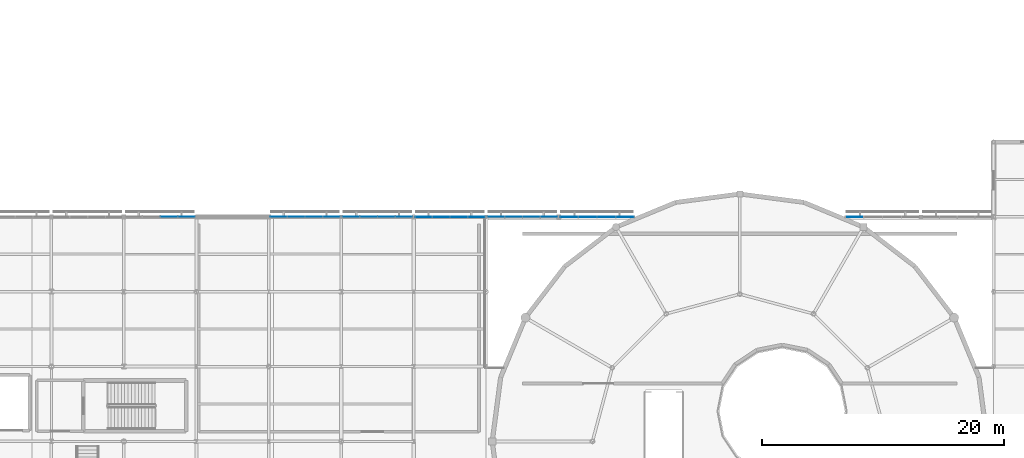
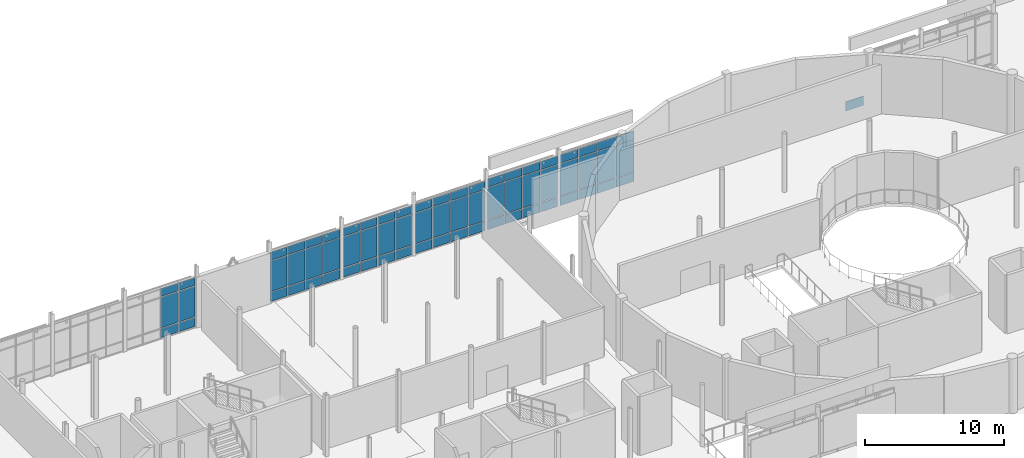
# One storey, part 60 of 105: 67 plates, 7 elements without a shape of their own.
"""IFC4 building model written with IfcOpenShell, lengths in metres."""

import ifcopenshell
import ifcopenshell.guid

model = None  # the IFC model being written
_history = None  # IfcOwnerHistory: only IFC2X3 demands one
_inside = {}  # id of a spatial element -> (the spatial element, [elements in it])
_under = {}  # id of a project, library or spatial element -> (it, [spatial elements below it])
_declared = {}  # id of a project -> (the project, [libraries it declares])
_typed = {}  # id of a type object -> (the type object, [elements of that type])
_made_of = {}  # id of a material, layer set ... -> (it, [elements and type objects made of it])


def new_model(schema):
    """Start an empty IFC model of exactly this schema.

    Asked for "IFC4X3", IfcOpenShell would pick the latest addendum, in which some entities
    have other attributes; the version numbers below select the first issue.
    IFC2X3 requires an IfcOwnerHistory on every rooted entity: one is made here for all.
    """
    global model, _history
    if schema == "IFC4X3":
        model = ifcopenshell.file(schema_version=(4, 3, 0, 0))
    else:
        model = ifcopenshell.file(schema=schema)
    _inside.clear()
    _under.clear()
    _declared.clear()
    _typed.clear()
    _made_of.clear()
    _history = None
    if model.schema == "IFC2X3":
        org = make("IfcOrganization", Name="unknown")
        user = make(
            "IfcPersonAndOrganization",
            ThePerson=make("IfcPerson", FamilyName="unknown"),
            TheOrganization=org,
        )
        app = make(
            "IfcApplication",
            ApplicationDeveloper=org,
            Version="unknown",
            ApplicationFullName="unknown",
            ApplicationIdentifier="unknown",
        )
        _history = make(
            "IfcOwnerHistory",
            OwningUser=user,
            OwningApplication=app,
            ChangeAction="ADDED",
            CreationDate=0,
        )
    return model


def make(cls, **values):
    """One entity of the class cls with the attributes given. An attribute that is None is left unset."""
    return model.create_entity(
        cls, **{name: value for name, value in values.items() if value is not None}
    )


def rooted(cls, **values):
    """An entity with a GlobalId (a new one), such as an element, a storey or a relation."""
    return make(cls, GlobalId=ifcopenshell.guid.new(), OwnerHistory=_history, **values)


def si_unit(unit_type, name, prefix=None):
    """IfcSIUnit, for example si_unit("LENGTHUNIT", "METRE", prefix="MILLI")."""
    return make("IfcSIUnit", UnitType=unit_type, Prefix=prefix, Name=name)


def assignment(units):
    """IfcUnitAssignment: the units of a project."""
    return None if units is None else make("IfcUnitAssignment", Units=units)


def point(xyz):
    """IfcCartesianPoint."""
    return None if xyz is None else make("IfcCartesianPoint", Coordinates=xyz)


def direction(xyz):
    """IfcDirection."""
    return None if xyz is None else make("IfcDirection", DirectionRatios=xyz)


def frame(location, z_axis=None, x_axis=None):
    """IfcAxis2Placement3D, a coordinate frame: its origin and axes. An axis left out is left unset."""
    return make(
        "IfcAxis2Placement3D",
        Location=point(location),
        Axis=direction(z_axis),
        RefDirection=direction(x_axis),
    )


def frame_2d(location, x_axis=None):
    """IfcAxis2Placement2D, a coordinate frame in the plane: its origin and x axis."""
    return make(
        "IfcAxis2Placement2D", Location=point(location), RefDirection=direction(x_axis)
    )


def origin():
    """The frame at (0, 0, 0) with its axes left unset."""
    return frame((0.0, 0.0, 0.0))


def origin_2d():
    """The frame at (0, 0) in the plane with its x axis left unset."""
    return frame_2d((0.0, 0.0))


def place(relative_to, where):
    """IfcLocalPlacement: puts the frame where relative to a parent placement (None: the world)."""
    return make(
        "IfcLocalPlacement", PlacementRelTo=relative_to, RelativePlacement=where
    )


def context(
    kind, dimensions, precision=None, world=None, true_north=None, identifier=None
):
    """IfcGeometricRepresentationContext, for example the 3D "Model" context."""
    return make(
        "IfcGeometricRepresentationContext",
        ContextIdentifier=identifier,
        ContextType=kind,
        CoordinateSpaceDimension=dimensions,
        Precision=precision,
        WorldCoordinateSystem=world,
        TrueNorth=true_north,
    )


def subcontext(parent, identifier, kind, view, scale=None):
    """IfcGeometricRepresentationSubContext, for example "Body" below "Model"."""
    return make(
        "IfcGeometricRepresentationSubContext",
        ContextIdentifier=identifier,
        ContextType=kind,
        ParentContext=parent,
        TargetScale=scale,
        TargetView=view,
    )


def project(units=None, contexts=None):
    """IfcProject with its units and contexts."""
    return rooted(
        "IfcProject",
        Name="project",
        RepresentationContexts=contexts,
        UnitsInContext=assignment(units),
    )


def spatial(cls, under=None, at=None, **own):
    """A site, building, storey or space (cls), placed at a placement, below another one or the project."""
    s = rooted(cls, ObjectPlacement=at, **own)
    if under is not None:
        _under.setdefault(under.id(), (under, []))[1].append(s)
    return s


def profile(cls, at=None, kind="AREA", **sizes):
    """A parametric profile (cls). Its sizes go by their IFC names, for example OverallWidth=200.0."""
    return make(cls, ProfileType=kind, Position=at, **sizes)


def rectangle(**sizes):
    """IfcRectangleProfileDef."""
    return profile("IfcRectangleProfileDef", **sizes)


def extrude(swept, where, along, depth):
    """IfcExtrudedAreaSolid: the profile swept, set in the frame where, extruded along a direction by depth."""
    return make(
        "IfcExtrudedAreaSolid",
        SweptArea=swept,
        Position=where,
        ExtrudedDirection=direction(along),
        Depth=depth,
    )


def shape(context_of_items, identifier, shape_type, items):
    """IfcShapeRepresentation: the items that make up one representation, for example the "Body"."""
    return make(
        "IfcShapeRepresentation",
        ContextOfItems=context_of_items,
        RepresentationIdentifier=identifier,
        RepresentationType=shape_type,
        Items=items,
    )


def material(Name=None, Category=None):
    """IfcMaterial."""
    return make("IfcMaterial", Name=Name, Category=Category)


def layer(
    of_material, thickness, ventilated=None, Name=None, Category=None, Priority=None
):
    """IfcMaterialLayer: one layer of a wall or slab, of a material (None: an air gap)."""
    return make(
        "IfcMaterialLayer",
        Material=of_material,
        LayerThickness=thickness,
        IsVentilated=ventilated,
        Name=Name,
        Category=Category,
        Priority=Priority,
    )


def layer_set(layers, Name=None):
    """IfcMaterialLayerSet."""
    return make("IfcMaterialLayerSet", MaterialLayers=layers, LayerSetName=Name)


def made_of(thing, what):
    """Note that an element or type object is made of a material, layer set ...; save() writes the relation."""
    if what is not None:
        _made_of.setdefault(what.id(), (what, []))[1].append(thing)
    return thing


def type_object(cls, material=None, **own):
    """A type object (cls), such as IfcWallType, which elements share."""
    return made_of(rooted(cls, **own), material)


def element(
    cls,
    number,
    at=None,
    inside=None,
    cuts=None,
    type_object=None,
    material=None,
    context=None,
    identifier="Body",
    shape_type=None,
    held_by="IfcProductDefinitionShape",
    body=None,
    shapes=None,
    **own,
):
    """One element of the class cls, such as IfcWall. Its Tag is "e" and its number.

    at: its placement. inside: the storey or other place that contains it. cuts: it is an
    opening in that element (IfcRelVoidsElement). A single representation is given by context,
    identifier, shape_type and body (its items); several are given by shapes. held_by: the class
    of the entity that holds the representations. save() writes the other relations.
    """
    e = rooted(cls, Tag="e%d" % number, ObjectPlacement=at, **own)
    if body is not None:
        shapes = [shape(context, identifier, shape_type, body)]
    if shapes is not None:
        e.Representation = make(held_by, Representations=shapes)
    if inside is not None:
        _inside.setdefault(inside.id(), (inside, []))[1].append(e)
    if cuts is not None:
        rooted(
            "IfcRelVoidsElement", RelatingBuildingElement=cuts, RelatedOpeningElement=e
        )
    if type_object is not None:
        _typed.setdefault(type_object.id(), (type_object, []))[1].append(e)
    return made_of(e, material)


def aggregate(whole, parts):
    """IfcRelAggregates: a whole, such as a stair, and the parts it consists of."""
    return rooted("IfcRelAggregates", RelatingObject=whole, RelatedObjects=parts)


def save(model, path):
    """Write the relations noted so far, then the file.

    IfcRelAggregates (storeys below a building ...), IfcRelContainedInSpatialStructure (elements
    in a storey), IfcRelDefinesByType, IfcRelAssociatesMaterial and IfcRelDeclares: one each for
    every whole, place, type object, material and project.
    """
    for whole, parts in _under.values():
        aggregate(whole, parts)
    for where, things in _inside.values():
        rooted(
            "IfcRelContainedInSpatialStructure",
            RelatedElements=things,
            RelatingStructure=where,
        )
    for kind, things in _typed.values():
        rooted("IfcRelDefinesByType", RelatedObjects=things, RelatingType=kind)
    for what, things in _made_of.values():
        rooted("IfcRelAssociatesMaterial", RelatedObjects=things, RelatingMaterial=what)
    for by, libraries in _declared.values():
        rooted("IfcRelDeclares", RelatingContext=by, RelatedDefinitions=libraries)
    model.write(path)


model = new_model("IFC4")

# Units and contexts
model_context = context("Model", 3, precision=1e-05, world=origin(), true_north=direction((0.0, 1.0)))
body_context = subcontext(model_context, "Body", "Model", "MODEL_VIEW")
ifc_project = project(units=[si_unit("LENGTHUNIT", "METRE"), si_unit("AREAUNIT", "SQUARE_METRE"), si_unit("VOLUMEUNIT", "CUBIC_METRE"), si_unit("PLANEANGLEUNIT", "RADIAN"), si_unit("MASSUNIT", "GRAM", prefix="KILO")], contexts=[model_context])

# Site, building, storey
site_placement = place(None, origin())
site = spatial("IfcSite", under=ifc_project, at=site_placement, CompositionType="ELEMENT")
building_placement = place(site_placement, origin())
building = spatial("IfcBuilding", under=site, at=building_placement, Name="Mirzam Square Science Centre", CompositionType="ELEMENT")
storey_placement = place(building_placement, frame((0.0, 0.0, 5.39990234375)))
storey = spatial("IfcBuildingStorey", under=building, at=storey_placement, Name="L01", CompositionType="ELEMENT", Elevation=5.39990234375)

# Curtain wall, plates
ifc_material_1 = material(Name="Anodised Aluminium and Low-E Solar Glass", Category="aluminium")
ifc_layer_1 = layer(ifc_material_1, 0.179931640625)
ifc_layer_set_1 = layer_set([ifc_layer_1], Name="CW-PARK-A")
curtain_wall_type_1 = type_object("IfcCurtainWallType", Name="CW-PARK-A", PredefinedType="USERDEFINED", material=ifc_layer_set_1)
curtain_wall_1_placement = place(storey_placement, origin())
curtain_wall_1 = element("IfcCurtainWall", 1, at=curtain_wall_1_placement, inside=storey, type_object=curtain_wall_type_1, Name="L01 unitised curtain wall 14", ObjectType="UNITISED CURTAIN WALL", PredefinedType="USERDEFINED")
ifc_material_2 = material(Name="Ceramic-Fritted Courtyard Solar Glass", Category="glass")
ifc_layer_2 = layer(ifc_material_2, 0.02392578125)
ifc_layer_set_2 = layer_set([ifc_layer_2], Name="CWP-GLZ-24")
plate_type_1 = type_object("IfcPlateType", Name="CWP-GLZ-24", PredefinedType="CURTAIN_PANEL", material=ifc_layer_set_2)
plate_1_placement = place(storey_placement, frame((35.18994140625, 80.60009765625, 0.074951171875), z_axis=(0.0, 0.0, 1.0), x_axis=(-1.0, 0.0, 0.0)))
plate_1 = element("IfcPlate", 2, at=plate_1_placement, type_object=plate_type_1, Name="CW-01 panel 1.1", PredefinedType="CURTAIN_PANEL", context=body_context, shape_type="SweptSolid", body=[
    extrude(rectangle(XDim=1.360107421875, YDim=0.02392578125, at=origin_2d()), origin(), (0.0, 0.0, 1.0), 0.78759765625),
])
plate_2_placement = place(storey_placement, frame((35.18994140625, 80.60009765625, 0.9375), z_axis=(0.0, 0.0, 1.0), x_axis=(-1.0, 0.0, 0.0)))
plate_2 = element("IfcPlate", 3, at=plate_2_placement, type_object=plate_type_1, Name="CW-01 panel 1.2", PredefinedType="CURTAIN_PANEL", context=body_context, shape_type="SweptSolid", body=[
    extrude(rectangle(XDim=1.360107421875, YDim=0.02392578125, at=origin_2d()), origin(), (0.0, 0.0, 1.0), 2.6650390625),
])
plate_3_placement = place(storey_placement, frame((35.18994140625, 80.60009765625, 3.677490234375), z_axis=(0.0, 0.0, 1.0), x_axis=(-1.0, 0.0, 0.0)))
plate_3 = element("IfcPlate", 4, at=plate_3_placement, type_object=plate_type_1, Name="CW-01 panel 1.3", PredefinedType="CURTAIN_PANEL", context=body_context, shape_type="SweptSolid", body=[
    extrude(rectangle(XDim=1.360107421875, YDim=0.02392578125, at=origin_2d()), origin(), (0.0, 0.0, 1.0), 0.6875),
])
plate_4_placement = place(storey_placement, frame((33.736328125, 80.60009765625, 0.074951171875), z_axis=(0.0, 0.0, 1.0), x_axis=(-1.0, 0.0, 0.0)))
plate_4 = element("IfcPlate", 5, at=plate_4_placement, type_object=plate_type_1, Name="CW-01 panel 2.1", PredefinedType="CURTAIN_PANEL", context=body_context, shape_type="SweptSolid", body=[
    extrude(rectangle(XDim=1.3974609375, YDim=0.02392578125, at=origin_2d()), origin(), (0.0, 0.0, 1.0), 0.78759765625),
])
plate_5_placement = place(storey_placement, frame((33.736328125, 80.60009765625, 0.9375), z_axis=(0.0, 0.0, 1.0), x_axis=(-1.0, 0.0, 0.0)))
plate_5 = element("IfcPlate", 6, at=plate_5_placement, type_object=plate_type_1, Name="CW-01 panel 2.2", PredefinedType="CURTAIN_PANEL", context=body_context, shape_type="SweptSolid", body=[
    extrude(rectangle(XDim=1.3974609375, YDim=0.02392578125, at=origin_2d()), origin(), (0.0, 0.0, 1.0), 2.6650390625),
])
plate_6_placement = place(storey_placement, frame((33.736328125, 80.60009765625, 3.677490234375), z_axis=(0.0, 0.0, 1.0), x_axis=(-1.0, 0.0, 0.0)))
plate_6 = element("IfcPlate", 7, at=plate_6_placement, type_object=plate_type_1, Name="CW-01 panel 2.3", PredefinedType="CURTAIN_PANEL", context=body_context, shape_type="SweptSolid", body=[
    extrude(rectangle(XDim=1.3974609375, YDim=0.02392578125, at=origin_2d()), origin(), (0.0, 0.0, 1.0), 0.6875),
])
aggregate(curtain_wall_1, [plate_1, plate_2, plate_3, plate_4, plate_5, plate_6])

ifc_layer_3 = layer(ifc_material_1, 0.159912109375)
ifc_layer_set_3 = layer_set([ifc_layer_3], Name="CW-COURT-A")
curtain_wall_type_2 = type_object("IfcCurtainWallType", Name="CW-COURT-A", PredefinedType="USERDEFINED", material=ifc_layer_set_3)
curtain_wall_2_placement = place(storey_placement, origin())
curtain_wall_2 = element("IfcCurtainWall", 8, at=curtain_wall_2_placement, inside=storey, type_object=curtain_wall_type_2, Name="L01 unitised curtain wall 15", ObjectType="UNITISED CURTAIN WALL", PredefinedType="USERDEFINED")
ifc_material_3 = material(Name="Double-Silver Low-E Insulated Solar Glass", Category="glass")
ifc_layer_4 = layer(ifc_material_3, 0.028076171875)
ifc_layer_set_4 = layer_set([ifc_layer_4], Name="CWP-GLZ-28")
plate_type_2 = type_object("IfcPlateType", Name="CWP-GLZ-28", PredefinedType="CURTAIN_PANEL", material=ifc_layer_set_4)
plate_7_placement = place(storey_placement, frame((47.1923828125, 80.60009765625, 0.06494140625), z_axis=(0.0, 0.0, 1.0), x_axis=(-1.0, 0.0, 0.0)))
plate_7 = element("IfcPlate", 9, at=plate_7_placement, type_object=plate_type_2, Name="CW-03 panel 1.1", PredefinedType="CURTAIN_PANEL", context=body_context, shape_type="SweptSolid", body=[
    extrude(rectangle(XDim=1.375, YDim=0.028076171875, at=origin_2d()), origin(), (0.0, 0.0, 1.0), 0.802490234375),
])
plate_8_placement = place(storey_placement, frame((47.1923828125, 80.60009765625, 0.9326171875), z_axis=(0.0, 0.0, 1.0), x_axis=(-1.0, 0.0, 0.0)))
plate_8 = element("IfcPlate", 10, at=plate_8_placement, type_object=plate_type_2, Name="CW-03 panel 1.2", PredefinedType="CURTAIN_PANEL", context=body_context, shape_type="SweptSolid", body=[
    extrude(rectangle(XDim=1.375, YDim=0.028076171875, at=origin_2d()), origin(), (0.0, 0.0, 1.0), 2.675048828125),
])
plate_9_placement = place(storey_placement, frame((47.1923828125, 80.60009765625, 3.6728515625), z_axis=(0.0, 0.0, 1.0), x_axis=(-1.0, 0.0, 0.0)))
plate_9 = element("IfcPlate", 11, at=plate_9_placement, type_object=plate_type_2, Name="CW-03 panel 1.3", PredefinedType="CURTAIN_PANEL", context=body_context, shape_type="SweptSolid", body=[
    extrude(rectangle(XDim=1.375, YDim=0.028076171875, at=origin_2d()), origin(), (0.0, 0.0, 1.0), 0.702392578125),
])
plate_10_placement = place(storey_placement, frame((45.736328125, 80.60009765625, 0.06494140625), z_axis=(0.0, 0.0, 1.0), x_axis=(-1.0, 0.0, 0.0)))
plate_10 = element("IfcPlate", 12, at=plate_10_placement, type_object=plate_type_2, Name="CW-03 panel 2.1", PredefinedType="CURTAIN_PANEL", context=body_context, shape_type="SweptSolid", body=[
    extrude(rectangle(XDim=1.407470703125, YDim=0.028076171875, at=origin_2d()), origin(), (0.0, 0.0, 1.0), 0.802490234375),
])
plate_11_placement = place(storey_placement, frame((45.736328125, 80.60009765625, 0.9326171875), z_axis=(0.0, 0.0, 1.0), x_axis=(-1.0, 0.0, 0.0)))
plate_11 = element("IfcPlate", 13, at=plate_11_placement, type_object=plate_type_2, Name="CW-03 panel 2.2", PredefinedType="CURTAIN_PANEL", context=body_context, shape_type="SweptSolid", body=[
    extrude(rectangle(XDim=1.407470703125, YDim=0.028076171875, at=origin_2d()), origin(), (0.0, 0.0, 1.0), 2.675048828125),
])
plate_12_placement = place(storey_placement, frame((45.736328125, 80.60009765625, 3.6728515625), z_axis=(0.0, 0.0, 1.0), x_axis=(-1.0, 0.0, 0.0)))
plate_12 = element("IfcPlate", 14, at=plate_12_placement, type_object=plate_type_2, Name="CW-03 panel 2.3", PredefinedType="CURTAIN_PANEL", context=body_context, shape_type="SweptSolid", body=[
    extrude(rectangle(XDim=1.407470703125, YDim=0.028076171875, at=origin_2d()), origin(), (0.0, 0.0, 1.0), 0.702392578125),
])
plate_13_placement = place(storey_placement, frame((44.263671875, 80.60009765625, 0.06494140625), z_axis=(0.0, 0.0, 1.0), x_axis=(-1.0, 0.0, 0.0)))
plate_13 = element("IfcPlate", 15, at=plate_13_placement, type_object=plate_type_2, Name="CW-03 panel 3.1", PredefinedType="CURTAIN_PANEL", context=body_context, shape_type="SweptSolid", body=[
    extrude(rectangle(XDim=1.407470703125, YDim=0.028076171875, at=origin_2d()), origin(), (0.0, 0.0, 1.0), 0.802490234375),
])
plate_14_placement = place(storey_placement, frame((44.263671875, 80.60009765625, 0.9326171875), z_axis=(0.0, 0.0, 1.0), x_axis=(-1.0, 0.0, 0.0)))
plate_14 = element("IfcPlate", 16, at=plate_14_placement, type_object=plate_type_2, Name="CW-03 panel 3.2", PredefinedType="CURTAIN_PANEL", context=body_context, shape_type="SweptSolid", body=[
    extrude(rectangle(XDim=1.407470703125, YDim=0.028076171875, at=origin_2d()), origin(), (0.0, 0.0, 1.0), 2.675048828125),
])
plate_15_placement = place(storey_placement, frame((44.263671875, 80.60009765625, 3.6728515625), z_axis=(0.0, 0.0, 1.0), x_axis=(-1.0, 0.0, 0.0)))
plate_15 = element("IfcPlate", 17, at=plate_15_placement, type_object=plate_type_2, Name="CW-03 panel 3.3", PredefinedType="CURTAIN_PANEL", context=body_context, shape_type="SweptSolid", body=[
    extrude(rectangle(XDim=1.407470703125, YDim=0.028076171875, at=origin_2d()), origin(), (0.0, 0.0, 1.0), 0.702392578125),
])
plate_16_placement = place(storey_placement, frame((42.8076171875, 80.60009765625, 0.06494140625), z_axis=(0.0, 0.0, 1.0), x_axis=(-1.0, 0.0, 0.0)))
plate_16 = element("IfcPlate", 18, at=plate_16_placement, type_object=plate_type_2, Name="CW-03 panel 4.1", PredefinedType="CURTAIN_PANEL", context=body_context, shape_type="SweptSolid", body=[
    extrude(rectangle(XDim=1.375, YDim=0.028076171875, at=origin_2d()), origin(), (0.0, 0.0, 1.0), 0.802490234375),
])
plate_17_placement = place(storey_placement, frame((42.8076171875, 80.60009765625, 0.9326171875), z_axis=(0.0, 0.0, 1.0), x_axis=(-1.0, 0.0, 0.0)))
plate_17 = element("IfcPlate", 19, at=plate_17_placement, type_object=plate_type_2, Name="CW-03 panel 4.2", PredefinedType="CURTAIN_PANEL", context=body_context, shape_type="SweptSolid", body=[
    extrude(rectangle(XDim=1.375, YDim=0.028076171875, at=origin_2d()), origin(), (0.0, 0.0, 1.0), 2.675048828125),
])
plate_18_placement = place(storey_placement, frame((42.8076171875, 80.60009765625, 3.6728515625), z_axis=(0.0, 0.0, 1.0), x_axis=(-1.0, 0.0, 0.0)))
plate_18 = element("IfcPlate", 20, at=plate_18_placement, type_object=plate_type_2, Name="CW-03 panel 4.3", PredefinedType="CURTAIN_PANEL", context=body_context, shape_type="SweptSolid", body=[
    extrude(rectangle(XDim=1.375, YDim=0.028076171875, at=origin_2d()), origin(), (0.0, 0.0, 1.0), 0.702392578125),
])
aggregate(curtain_wall_2, [plate_7, plate_8, plate_9, plate_10, plate_11, plate_12, plate_13, plate_14, plate_15, plate_16, plate_17, plate_18])

curtain_wall_3_placement = place(storey_placement, origin())
curtain_wall_3 = element("IfcCurtainWall", 21, at=curtain_wall_3_placement, inside=storey, type_object=curtain_wall_type_2, Name="L01 unitised curtain wall 50", ObjectType="UNITISED CURTAIN WALL", PredefinedType="USERDEFINED")
plate_19_placement = place(storey_placement, frame((65.1923828125, 80.60009765625, 0.06494140625), z_axis=(0.0, 0.0, 1.0), x_axis=(-1.0, 0.0, 0.0)))
plate_19 = element("IfcPlate", 22, at=plate_19_placement, type_object=plate_type_2, Name="CW-03 panel 1.1", PredefinedType="CURTAIN_PANEL", context=body_context, shape_type="SweptSolid", body=[
    extrude(rectangle(XDim=1.375, YDim=0.028076171875, at=origin_2d()), origin(), (0.0, 0.0, 1.0), 0.802490234375),
])
plate_20_placement = place(storey_placement, frame((65.1923828125, 80.60009765625, 0.9326171875), z_axis=(0.0, 0.0, 1.0), x_axis=(-1.0, 0.0, 0.0)))
plate_20 = element("IfcPlate", 23, at=plate_20_placement, type_object=plate_type_2, Name="CW-03 panel 1.2", PredefinedType="CURTAIN_PANEL", context=body_context, shape_type="SweptSolid", body=[
    extrude(rectangle(XDim=1.375, YDim=0.028076171875, at=origin_2d()), origin(), (0.0, 0.0, 1.0), 2.784912109375),
])
plate_21_placement = place(storey_placement, frame((65.1923828125, 80.60009765625, 3.78271484375), z_axis=(0.0, 0.0, 1.0), x_axis=(-1.0, 0.0, 0.0)))
plate_21 = element("IfcPlate", 24, at=plate_21_placement, type_object=plate_type_2, Name="CW-03 panel 1.3", PredefinedType="CURTAIN_PANEL", context=body_context, shape_type="SweptSolid", body=[
    extrude(rectangle(XDim=1.375, YDim=0.028076171875, at=origin_2d()), origin(), (0.0, 0.0, 1.0), 0.702392578125),
])
plate_22_placement = place(storey_placement, frame((63.736328125, 80.60009765625, 0.06494140625), z_axis=(0.0, 0.0, 1.0), x_axis=(-1.0, 0.0, 0.0)))
plate_22 = element("IfcPlate", 25, at=plate_22_placement, type_object=plate_type_2, Name="CW-03 panel 2.1", PredefinedType="CURTAIN_PANEL", context=body_context, shape_type="SweptSolid", body=[
    extrude(rectangle(XDim=1.407470703125, YDim=0.028076171875, at=origin_2d()), origin(), (0.0, 0.0, 1.0), 0.802490234375),
])
plate_23_placement = place(storey_placement, frame((63.736328125, 80.60009765625, 0.9326171875), z_axis=(0.0, 0.0, 1.0), x_axis=(-1.0, 0.0, 0.0)))
plate_23 = element("IfcPlate", 26, at=plate_23_placement, type_object=plate_type_2, Name="CW-03 panel 2.2", PredefinedType="CURTAIN_PANEL", context=body_context, shape_type="SweptSolid", body=[
    extrude(rectangle(XDim=1.407470703125, YDim=0.028076171875, at=origin_2d()), origin(), (0.0, 0.0, 1.0), 2.784912109375),
])
plate_24_placement = place(storey_placement, frame((63.736328125, 80.60009765625, 3.78271484375), z_axis=(0.0, 0.0, 1.0), x_axis=(-1.0, 0.0, 0.0)))
plate_24 = element("IfcPlate", 27, at=plate_24_placement, type_object=plate_type_2, Name="CW-03 panel 2.3", PredefinedType="CURTAIN_PANEL", context=body_context, shape_type="SweptSolid", body=[
    extrude(rectangle(XDim=1.407470703125, YDim=0.028076171875, at=origin_2d()), origin(), (0.0, 0.0, 1.0), 0.702392578125),
])
plate_25_placement = place(storey_placement, frame((62.263671875, 80.60009765625, 0.06494140625), z_axis=(0.0, 0.0, 1.0), x_axis=(-1.0, 0.0, 0.0)))
plate_25 = element("IfcPlate", 28, at=plate_25_placement, type_object=plate_type_2, Name="CW-03 panel 3.1", PredefinedType="CURTAIN_PANEL", context=body_context, shape_type="SweptSolid", body=[
    extrude(rectangle(XDim=1.407470703125, YDim=0.028076171875, at=origin_2d()), origin(), (0.0, 0.0, 1.0), 0.802490234375),
])
plate_26_placement = place(storey_placement, frame((62.263671875, 80.60009765625, 0.9326171875), z_axis=(0.0, 0.0, 1.0), x_axis=(-1.0, 0.0, 0.0)))
plate_26 = element("IfcPlate", 29, at=plate_26_placement, type_object=plate_type_2, Name="CW-03 panel 3.2", PredefinedType="CURTAIN_PANEL", context=body_context, shape_type="SweptSolid", body=[
    extrude(rectangle(XDim=1.407470703125, YDim=0.028076171875, at=origin_2d()), origin(), (0.0, 0.0, 1.0), 2.784912109375),
])
plate_27_placement = place(storey_placement, frame((62.263671875, 80.60009765625, 3.78271484375), z_axis=(0.0, 0.0, 1.0), x_axis=(-1.0, 0.0, 0.0)))
plate_27 = element("IfcPlate", 30, at=plate_27_placement, type_object=plate_type_2, Name="CW-03 panel 3.3", PredefinedType="CURTAIN_PANEL", context=body_context, shape_type="SweptSolid", body=[
    extrude(rectangle(XDim=1.407470703125, YDim=0.028076171875, at=origin_2d()), origin(), (0.0, 0.0, 1.0), 0.702392578125),
])
plate_28_placement = place(storey_placement, frame((60.8076171875, 80.60009765625, 0.06494140625), z_axis=(0.0, 0.0, 1.0), x_axis=(-1.0, 0.0, 0.0)))
plate_28 = element("IfcPlate", 31, at=plate_28_placement, type_object=plate_type_2, Name="CW-03 panel 4.1", PredefinedType="CURTAIN_PANEL", context=body_context, shape_type="SweptSolid", body=[
    extrude(rectangle(XDim=1.375, YDim=0.028076171875, at=origin_2d()), origin(), (0.0, 0.0, 1.0), 0.802490234375),
])
plate_29_placement = place(storey_placement, frame((60.8076171875, 80.60009765625, 0.9326171875), z_axis=(0.0, 0.0, 1.0), x_axis=(-1.0, 0.0, 0.0)))
plate_29 = element("IfcPlate", 32, at=plate_29_placement, type_object=plate_type_2, Name="CW-03 panel 4.2", PredefinedType="CURTAIN_PANEL", context=body_context, shape_type="SweptSolid", body=[
    extrude(rectangle(XDim=1.375, YDim=0.028076171875, at=origin_2d()), origin(), (0.0, 0.0, 1.0), 2.784912109375),
])
plate_30_placement = place(storey_placement, frame((60.8076171875, 80.60009765625, 3.78271484375), z_axis=(0.0, 0.0, 1.0), x_axis=(-1.0, 0.0, 0.0)))
plate_30 = element("IfcPlate", 33, at=plate_30_placement, type_object=plate_type_2, Name="CW-03 panel 4.3", PredefinedType="CURTAIN_PANEL", context=body_context, shape_type="SweptSolid", body=[
    extrude(rectangle(XDim=1.375, YDim=0.028076171875, at=origin_2d()), origin(), (0.0, 0.0, 1.0), 0.702392578125),
])
aggregate(curtain_wall_3, [plate_19, plate_20, plate_21, plate_22, plate_23, plate_24, plate_25, plate_26, plate_27, plate_28, plate_29, plate_30])

ifc_layer_5 = layer(ifc_material_1, 0.159912109375)
ifc_layer_set_5 = layer_set([ifc_layer_5], Name="CW-COURT-B")
curtain_wall_type_3 = type_object("IfcCurtainWallType", Name="CW-COURT-B", PredefinedType="USERDEFINED", material=ifc_layer_set_5)
curtain_wall_4_placement = place(storey_placement, origin())
curtain_wall_4 = element("IfcCurtainWall", 34, at=curtain_wall_4_placement, inside=storey, type_object=curtain_wall_type_3, Name="L01 unitised curtain wall 16", ObjectType="UNITISED CURTAIN WALL", PredefinedType="USERDEFINED")
ifc_material_4 = material(Name="Triple-Glazed Acoustic Low-E Solar Glass", Category="glass")
ifc_layer_6 = layer(ifc_material_4, 0.031982421875)
ifc_layer_set_6 = layer_set([ifc_layer_6], Name="CWP-GLZ-32")
plate_type_3 = type_object("IfcPlateType", Name="CWP-GLZ-32", PredefinedType="CURTAIN_PANEL", material=ifc_layer_set_6)
plate_31_placement = place(storey_placement, frame((53.18994140625, 80.60009765625, 0.074951171875), z_axis=(0.0, 0.0, 1.0), x_axis=(-1.0, 0.0, 0.0)))
plate_31 = element("IfcPlate", 35, at=plate_31_placement, type_object=plate_type_3, Name="CW-04 panel 1.1", PredefinedType="CURTAIN_PANEL", context=body_context, shape_type="SweptSolid", body=[
    extrude(rectangle(XDim=1.360107421875, YDim=0.031982421875, at=origin_2d()), origin(), (0.0, 0.0, 1.0), 0.78759765625),
])
plate_32_placement = place(storey_placement, frame((53.18994140625, 80.60009765625, 0.9375), z_axis=(0.0, 0.0, 1.0), x_axis=(-1.0, 0.0, 0.0)))
plate_32 = element("IfcPlate", 36, at=plate_32_placement, type_object=plate_type_3, Name="CW-04 panel 1.2", PredefinedType="CURTAIN_PANEL", context=body_context, shape_type="SweptSolid", body=[
    extrude(rectangle(XDim=1.360107421875, YDim=0.031982421875, at=origin_2d()), origin(), (0.0, 0.0, 1.0), 2.6650390625),
])
plate_33_placement = place(storey_placement, frame((53.18994140625, 80.60009765625, 3.677490234375), z_axis=(0.0, 0.0, 1.0), x_axis=(-1.0, 0.0, 0.0)))
plate_33 = element("IfcPlate", 37, at=plate_33_placement, type_object=plate_type_3, Name="CW-04 panel 1.3", PredefinedType="CURTAIN_PANEL", context=body_context, shape_type="SweptSolid", body=[
    extrude(rectangle(XDim=1.360107421875, YDim=0.031982421875, at=origin_2d()), origin(), (0.0, 0.0, 1.0), 0.6875),
])
plate_34_placement = place(storey_placement, frame((51.736328125, 80.60009765625, 0.074951171875), z_axis=(0.0, 0.0, 1.0), x_axis=(-1.0, 0.0, 0.0)))
plate_34 = element("IfcPlate", 38, at=plate_34_placement, type_object=plate_type_3, Name="CW-04 panel 2.1", PredefinedType="CURTAIN_PANEL", context=body_context, shape_type="SweptSolid", body=[
    extrude(rectangle(XDim=1.3974609375, YDim=0.031982421875, at=origin_2d()), origin(), (0.0, 0.0, 1.0), 0.78759765625),
])
plate_35_placement = place(storey_placement, frame((51.736328125, 80.60009765625, 0.9375), z_axis=(0.0, 0.0, 1.0), x_axis=(-1.0, 0.0, 0.0)))
plate_35 = element("IfcPlate", 39, at=plate_35_placement, type_object=plate_type_3, Name="CW-04 panel 2.2", PredefinedType="CURTAIN_PANEL", context=body_context, shape_type="SweptSolid", body=[
    extrude(rectangle(XDim=1.3974609375, YDim=0.031982421875, at=origin_2d()), origin(), (0.0, 0.0, 1.0), 2.6650390625),
])
plate_36_placement = place(storey_placement, frame((51.736328125, 80.60009765625, 3.677490234375), z_axis=(0.0, 0.0, 1.0), x_axis=(-1.0, 0.0, 0.0)))
plate_36 = element("IfcPlate", 40, at=plate_36_placement, type_object=plate_type_3, Name="CW-04 panel 2.3", PredefinedType="CURTAIN_PANEL", context=body_context, shape_type="SweptSolid", body=[
    extrude(rectangle(XDim=1.3974609375, YDim=0.031982421875, at=origin_2d()), origin(), (0.0, 0.0, 1.0), 0.6875),
])
plate_37_placement = place(storey_placement, frame((50.263671875, 80.60009765625, 0.074951171875), z_axis=(0.0, 0.0, 1.0), x_axis=(-1.0, 0.0, 0.0)))
plate_37 = element("IfcPlate", 41, at=plate_37_placement, type_object=plate_type_3, Name="CW-04 panel 3.1", PredefinedType="CURTAIN_PANEL", context=body_context, shape_type="SweptSolid", body=[
    extrude(rectangle(XDim=1.3974609375, YDim=0.031982421875, at=origin_2d()), origin(), (0.0, 0.0, 1.0), 0.78759765625),
])
plate_38_placement = place(storey_placement, frame((50.263671875, 80.60009765625, 0.9375), z_axis=(0.0, 0.0, 1.0), x_axis=(-1.0, 0.0, 0.0)))
plate_38 = element("IfcPlate", 42, at=plate_38_placement, type_object=plate_type_3, Name="CW-04 panel 3.2", PredefinedType="CURTAIN_PANEL", context=body_context, shape_type="SweptSolid", body=[
    extrude(rectangle(XDim=1.3974609375, YDim=0.031982421875, at=origin_2d()), origin(), (0.0, 0.0, 1.0), 2.6650390625),
])
plate_39_placement = place(storey_placement, frame((50.263671875, 80.60009765625, 3.677490234375), z_axis=(0.0, 0.0, 1.0), x_axis=(-1.0, 0.0, 0.0)))
plate_39 = element("IfcPlate", 43, at=plate_39_placement, type_object=plate_type_3, Name="CW-04 panel 3.3", PredefinedType="CURTAIN_PANEL", context=body_context, shape_type="SweptSolid", body=[
    extrude(rectangle(XDim=1.3974609375, YDim=0.031982421875, at=origin_2d()), origin(), (0.0, 0.0, 1.0), 0.6875),
])
plate_40_placement = place(storey_placement, frame((48.81005859375, 80.60009765625, 0.074951171875), z_axis=(0.0, 0.0, 1.0), x_axis=(-1.0, 0.0, 0.0)))
plate_40 = element("IfcPlate", 44, at=plate_40_placement, type_object=plate_type_3, Name="CW-04 panel 4.1", PredefinedType="CURTAIN_PANEL", context=body_context, shape_type="SweptSolid", body=[
    extrude(rectangle(XDim=1.360107421875, YDim=0.031982421875, at=origin_2d()), origin(), (0.0, 0.0, 1.0), 0.78759765625),
])
plate_41_placement = place(storey_placement, frame((48.81005859375, 80.60009765625, 0.9375), z_axis=(0.0, 0.0, 1.0), x_axis=(-1.0, 0.0, 0.0)))
plate_41 = element("IfcPlate", 45, at=plate_41_placement, type_object=plate_type_3, Name="CW-04 panel 4.2", PredefinedType="CURTAIN_PANEL", context=body_context, shape_type="SweptSolid", body=[
    extrude(rectangle(XDim=1.360107421875, YDim=0.031982421875, at=origin_2d()), origin(), (0.0, 0.0, 1.0), 2.6650390625),
])
plate_42_placement = place(storey_placement, frame((48.81005859375, 80.60009765625, 3.677490234375), z_axis=(0.0, 0.0, 1.0), x_axis=(-1.0, 0.0, 0.0)))
plate_42 = element("IfcPlate", 46, at=plate_42_placement, type_object=plate_type_3, Name="CW-04 panel 4.3", PredefinedType="CURTAIN_PANEL", context=body_context, shape_type="SweptSolid", body=[
    extrude(rectangle(XDim=1.360107421875, YDim=0.031982421875, at=origin_2d()), origin(), (0.0, 0.0, 1.0), 0.6875),
])
aggregate(curtain_wall_4, [plate_31, plate_32, plate_33, plate_34, plate_35, plate_36, plate_37, plate_38, plate_39, plate_40, plate_41, plate_42])

ifc_layer_7 = layer(ifc_material_1, 0.199951171875)
ifc_layer_set_7 = layer_set([ifc_layer_7], Name="CW-EAST-A")
curtain_wall_type_4 = type_object("IfcCurtainWallType", Name="CW-EAST-A", PredefinedType="USERDEFINED", material=ifc_layer_set_7)
curtain_wall_5_placement = place(storey_placement, origin())
curtain_wall_5 = element("IfcCurtainWall", 47, at=curtain_wall_5_placement, inside=storey, type_object=curtain_wall_type_4, Name="L01 unitised curtain wall 17", ObjectType="UNITISED CURTAIN WALL", PredefinedType="USERDEFINED")
ifc_material_5 = material(Name="Laminated Low-Iron Observatory Solar Glass", Category="glass")
ifc_layer_8 = layer(ifc_material_5, 0.035888671875)
ifc_layer_set_8 = layer_set([ifc_layer_8], Name="CWP-GLZ-36")
plate_type_4 = type_object("IfcPlateType", Name="CWP-GLZ-36", PredefinedType="CURTAIN_PANEL", material=ifc_layer_set_8)
plate_43_placement = place(storey_placement, frame((59.19384765625, 80.60009765625, 0.06005859375), z_axis=(0.0, 0.0, 1.0), x_axis=(-1.0, 0.0, 0.0)))
plate_43 = element("IfcPlate", 48, at=plate_43_placement, type_object=plate_type_4, Name="CW-05 panel 1.1", PredefinedType="CURTAIN_PANEL", context=body_context, shape_type="SweptSolid", body=[
    extrude(rectangle(XDim=1.382568359375, YDim=0.035888671875, at=origin_2d()), origin(), (0.0, 0.0, 1.0), 0.81005859375),
])
plate_44_placement = place(storey_placement, frame((59.19384765625, 80.60009765625, 0.93017578125), z_axis=(0.0, 0.0, 1.0), x_axis=(-1.0, 0.0, 0.0)))
plate_44 = element("IfcPlate", 49, at=plate_44_placement, type_object=plate_type_4, Name="CW-05 panel 1.2", PredefinedType="CURTAIN_PANEL", context=body_context, shape_type="SweptSolid", body=[
    extrude(rectangle(XDim=1.382568359375, YDim=0.035888671875, at=origin_2d()), origin(), (0.0, 0.0, 1.0), 2.679931640625),
])
plate_45_placement = place(storey_placement, frame((59.19384765625, 80.60009765625, 3.670166015625), z_axis=(0.0, 0.0, 1.0), x_axis=(-1.0, 0.0, 0.0)))
plate_45 = element("IfcPlate", 50, at=plate_45_placement, type_object=plate_type_4, Name="CW-05 panel 1.3", PredefinedType="CURTAIN_PANEL", context=body_context, shape_type="SweptSolid", body=[
    extrude(rectangle(XDim=1.382568359375, YDim=0.035888671875, at=origin_2d()), origin(), (0.0, 0.0, 1.0), 0.7099609375),
])
plate_46_placement = place(storey_placement, frame((57.736328125, 80.60009765625, 0.06005859375), z_axis=(0.0, 0.0, 1.0), x_axis=(-1.0, 0.0, 0.0)))
plate_46 = element("IfcPlate", 51, at=plate_46_placement, type_object=plate_type_4, Name="CW-05 panel 2.1", PredefinedType="CURTAIN_PANEL", context=body_context, shape_type="SweptSolid", body=[
    extrude(rectangle(XDim=1.41259765625, YDim=0.035888671875, at=origin_2d()), origin(), (0.0, 0.0, 1.0), 0.81005859375),
])
plate_47_placement = place(storey_placement, frame((57.736328125, 80.60009765625, 0.93017578125), z_axis=(0.0, 0.0, 1.0), x_axis=(-1.0, 0.0, 0.0)))
plate_47 = element("IfcPlate", 52, at=plate_47_placement, type_object=plate_type_4, Name="CW-05 panel 2.2", PredefinedType="CURTAIN_PANEL", context=body_context, shape_type="SweptSolid", body=[
    extrude(rectangle(XDim=1.41259765625, YDim=0.035888671875, at=origin_2d()), origin(), (0.0, 0.0, 1.0), 2.679931640625),
])
plate_48_placement = place(storey_placement, frame((57.736328125, 80.60009765625, 3.670166015625), z_axis=(0.0, 0.0, 1.0), x_axis=(-1.0, 0.0, 0.0)))
plate_48 = element("IfcPlate", 53, at=plate_48_placement, type_object=plate_type_4, Name="CW-05 panel 2.3", PredefinedType="CURTAIN_PANEL", context=body_context, shape_type="SweptSolid", body=[
    extrude(rectangle(XDim=1.41259765625, YDim=0.035888671875, at=origin_2d()), origin(), (0.0, 0.0, 1.0), 0.7099609375),
])
plate_49_placement = place(storey_placement, frame((56.263671875, 80.60009765625, 0.06005859375), z_axis=(0.0, 0.0, 1.0), x_axis=(-1.0, 0.0, 0.0)))
plate_49 = element("IfcPlate", 54, at=plate_49_placement, type_object=plate_type_4, Name="CW-05 panel 3.1", PredefinedType="CURTAIN_PANEL", context=body_context, shape_type="SweptSolid", body=[
    extrude(rectangle(XDim=1.41259765625, YDim=0.035888671875, at=origin_2d()), origin(), (0.0, 0.0, 1.0), 0.81005859375),
])
plate_50_placement = place(storey_placement, frame((56.263671875, 80.60009765625, 0.93017578125), z_axis=(0.0, 0.0, 1.0), x_axis=(-1.0, 0.0, 0.0)))
plate_50 = element("IfcPlate", 55, at=plate_50_placement, type_object=plate_type_4, Name="CW-05 panel 3.2", PredefinedType="CURTAIN_PANEL", context=body_context, shape_type="SweptSolid", body=[
    extrude(rectangle(XDim=1.41259765625, YDim=0.035888671875, at=origin_2d()), origin(), (0.0, 0.0, 1.0), 2.679931640625),
])
plate_51_placement = place(storey_placement, frame((56.263671875, 80.60009765625, 3.670166015625), z_axis=(0.0, 0.0, 1.0), x_axis=(-1.0, 0.0, 0.0)))
plate_51 = element("IfcPlate", 56, at=plate_51_placement, type_object=plate_type_4, Name="CW-05 panel 3.3", PredefinedType="CURTAIN_PANEL", context=body_context, shape_type="SweptSolid", body=[
    extrude(rectangle(XDim=1.41259765625, YDim=0.035888671875, at=origin_2d()), origin(), (0.0, 0.0, 1.0), 0.7099609375),
])
plate_52_placement = place(storey_placement, frame((54.80615234375, 80.60009765625, 0.06005859375), z_axis=(0.0, 0.0, 1.0), x_axis=(-1.0, 0.0, 0.0)))
plate_52 = element("IfcPlate", 57, at=plate_52_placement, type_object=plate_type_4, Name="CW-05 panel 4.1", PredefinedType="CURTAIN_PANEL", context=body_context, shape_type="SweptSolid", body=[
    extrude(rectangle(XDim=1.382568359375, YDim=0.035888671875, at=origin_2d()), origin(), (0.0, 0.0, 1.0), 0.81005859375),
])
plate_53_placement = place(storey_placement, frame((54.80615234375, 80.60009765625, 0.93017578125), z_axis=(0.0, 0.0, 1.0), x_axis=(-1.0, 0.0, 0.0)))
plate_53 = element("IfcPlate", 58, at=plate_53_placement, type_object=plate_type_4, Name="CW-05 panel 4.2", PredefinedType="CURTAIN_PANEL", context=body_context, shape_type="SweptSolid", body=[
    extrude(rectangle(XDim=1.382568359375, YDim=0.035888671875, at=origin_2d()), origin(), (0.0, 0.0, 1.0), 2.679931640625),
])
plate_54_placement = place(storey_placement, frame((54.80615234375, 80.60009765625, 3.670166015625), z_axis=(0.0, 0.0, 1.0), x_axis=(-1.0, 0.0, 0.0)))
plate_54 = element("IfcPlate", 59, at=plate_54_placement, type_object=plate_type_4, Name="CW-05 panel 4.3", PredefinedType="CURTAIN_PANEL", context=body_context, shape_type="SweptSolid", body=[
    extrude(rectangle(XDim=1.382568359375, YDim=0.035888671875, at=origin_2d()), origin(), (0.0, 0.0, 1.0), 0.7099609375),
])
aggregate(curtain_wall_5, [plate_43, plate_44, plate_45, plate_46, plate_47, plate_48, plate_49, plate_50, plate_51, plate_52, plate_53, plate_54])

curtain_wall_6_placement = place(storey_placement, origin())
curtain_wall_6 = element("IfcCurtainWall", 60, at=curtain_wall_6_placement, inside=storey, type_object=curtain_wall_type_4, Name="L01 unitised curtain wall 52", ObjectType="UNITISED CURTAIN WALL", PredefinedType="USERDEFINED")
plate_55_placement = place(storey_placement, frame((71.5, 80.60009765625, 0.06005859375), z_axis=(0.0, 0.0, 1.0), x_axis=(-1.0, 0.0, 0.0)))
plate_55 = element("IfcPlate", 61, at=plate_55_placement, type_object=plate_type_4, Name="CW-05 panel 1.1", PredefinedType="CURTAIN_PANEL", context=body_context, shape_type="SweptSolid", body=[
    extrude(rectangle(XDim=1.469970703125, YDim=0.035888671875, at=origin_2d()), origin(), (0.0, 0.0, 1.0), 0.81005859375),
])
plate_56_placement = place(storey_placement, frame((71.5, 80.60009765625, 0.93017578125), z_axis=(0.0, 0.0, 1.0), x_axis=(-1.0, 0.0, 0.0)))
plate_56 = element("IfcPlate", 62, at=plate_56_placement, type_object=plate_type_4, Name="CW-05 panel 1.2", PredefinedType="CURTAIN_PANEL", context=body_context, shape_type="SweptSolid", body=[
    extrude(rectangle(XDim=1.469970703125, YDim=0.035888671875, at=origin_2d()), origin(), (0.0, 0.0, 1.0), 2.7900390625),
])
plate_57_placement = place(storey_placement, frame((71.5, 80.60009765625, 3.780029296875), z_axis=(0.0, 0.0, 1.0), x_axis=(-1.0, 0.0, 0.0)))
plate_57 = element("IfcPlate", 63, at=plate_57_placement, type_object=plate_type_4, Name="CW-05 panel 1.3", PredefinedType="CURTAIN_PANEL", context=body_context, shape_type="SweptSolid", body=[
    extrude(rectangle(XDim=1.469970703125, YDim=0.035888671875, at=origin_2d()), origin(), (0.0, 0.0, 1.0), 0.7099609375),
])
plate_58_placement = place(storey_placement, frame((69.955078125, 80.60009765625, 0.06005859375), z_axis=(0.0, 0.0, 1.0), x_axis=(-1.0, 0.0, 0.0)))
plate_58 = element("IfcPlate", 64, at=plate_58_placement, type_object=plate_type_4, Name="CW-05 panel 2.1", PredefinedType="CURTAIN_PANEL", context=body_context, shape_type="SweptSolid", body=[
    extrude(rectangle(XDim=1.5, YDim=0.035888671875, at=origin_2d()), origin(), (0.0, 0.0, 1.0), 0.81005859375),
])
plate_59_placement = place(storey_placement, frame((69.955078125, 80.60009765625, 0.93017578125), z_axis=(0.0, 0.0, 1.0), x_axis=(-1.0, 0.0, 0.0)))
plate_59 = element("IfcPlate", 65, at=plate_59_placement, type_object=plate_type_4, Name="CW-05 panel 2.2", PredefinedType="CURTAIN_PANEL", context=body_context, shape_type="SweptSolid", body=[
    extrude(rectangle(XDim=1.5, YDim=0.035888671875, at=origin_2d()), origin(), (0.0, 0.0, 1.0), 2.7900390625),
])
plate_60_placement = place(storey_placement, frame((69.955078125, 80.60009765625, 3.780029296875), z_axis=(0.0, 0.0, 1.0), x_axis=(-1.0, 0.0, 0.0)))
plate_60 = element("IfcPlate", 66, at=plate_60_placement, type_object=plate_type_4, Name="CW-05 panel 2.3", PredefinedType="CURTAIN_PANEL", context=body_context, shape_type="SweptSolid", body=[
    extrude(rectangle(XDim=1.5, YDim=0.035888671875, at=origin_2d()), origin(), (0.0, 0.0, 1.0), 0.7099609375),
])
plate_61_placement = place(storey_placement, frame((68.39501953125, 80.60009765625, 0.06005859375), z_axis=(0.0, 0.0, 1.0), x_axis=(-1.0, 0.0, 0.0)))
plate_61 = element("IfcPlate", 67, at=plate_61_placement, type_object=plate_type_4, Name="CW-05 panel 3.1", PredefinedType="CURTAIN_PANEL", context=body_context, shape_type="SweptSolid", body=[
    extrude(rectangle(XDim=1.5, YDim=0.035888671875, at=origin_2d()), origin(), (0.0, 0.0, 1.0), 0.81005859375),
])
plate_62_placement = place(storey_placement, frame((68.39501953125, 80.60009765625, 0.93017578125), z_axis=(0.0, 0.0, 1.0), x_axis=(-1.0, 0.0, 0.0)))
plate_62 = element("IfcPlate", 68, at=plate_62_placement, type_object=plate_type_4, Name="CW-05 panel 3.2", PredefinedType="CURTAIN_PANEL", context=body_context, shape_type="SweptSolid", body=[
    extrude(rectangle(XDim=1.5, YDim=0.035888671875, at=origin_2d()), origin(), (0.0, 0.0, 1.0), 2.7900390625),
])
plate_63_placement = place(storey_placement, frame((68.39501953125, 80.60009765625, 3.780029296875), z_axis=(0.0, 0.0, 1.0), x_axis=(-1.0, 0.0, 0.0)))
plate_63 = element("IfcPlate", 69, at=plate_63_placement, type_object=plate_type_4, Name="CW-05 panel 3.3", PredefinedType="CURTAIN_PANEL", context=body_context, shape_type="SweptSolid", body=[
    extrude(rectangle(XDim=1.5, YDim=0.035888671875, at=origin_2d()), origin(), (0.0, 0.0, 1.0), 0.7099609375),
])
plate_64_placement = place(storey_placement, frame((66.85009765625, 80.60009765625, 0.06005859375), z_axis=(0.0, 0.0, 1.0), x_axis=(-1.0, 0.0, 0.0)))
plate_64 = element("IfcPlate", 70, at=plate_64_placement, type_object=plate_type_4, Name="CW-05 panel 4.1", PredefinedType="CURTAIN_PANEL", context=body_context, shape_type="SweptSolid", body=[
    extrude(rectangle(XDim=1.469970703125, YDim=0.035888671875, at=origin_2d()), origin(), (0.0, 0.0, 1.0), 0.81005859375),
])
plate_65_placement = place(storey_placement, frame((66.85009765625, 80.60009765625, 0.93017578125), z_axis=(0.0, 0.0, 1.0), x_axis=(-1.0, 0.0, 0.0)))
plate_65 = element("IfcPlate", 71, at=plate_65_placement, type_object=plate_type_4, Name="CW-05 panel 4.2", PredefinedType="CURTAIN_PANEL", context=body_context, shape_type="SweptSolid", body=[
    extrude(rectangle(XDim=1.469970703125, YDim=0.035888671875, at=origin_2d()), origin(), (0.0, 0.0, 1.0), 2.7900390625),
])
plate_66_placement = place(storey_placement, frame((66.85009765625, 80.60009765625, 3.780029296875), z_axis=(0.0, 0.0, 1.0), x_axis=(-1.0, 0.0, 0.0)))
plate_66 = element("IfcPlate", 72, at=plate_66_placement, type_object=plate_type_4, Name="CW-05 panel 4.3", PredefinedType="CURTAIN_PANEL", context=body_context, shape_type="SweptSolid", body=[
    extrude(rectangle(XDim=1.469970703125, YDim=0.035888671875, at=origin_2d()), origin(), (0.0, 0.0, 1.0), 0.7099609375),
])
aggregate(curtain_wall_6, [plate_55, plate_56, plate_57, plate_58, plate_59, plate_60, plate_61, plate_62, plate_63, plate_64, plate_65, plate_66])

# Curtain wall, plate
curtain_wall_7_placement = place(storey_placement, origin())
curtain_wall_7 = element("IfcCurtainWall", 73, at=curtain_wall_7_placement, inside=storey, type_object=curtain_wall_type_4, Name="L01 unitised curtain wall 54", ObjectType="UNITISED CURTAIN WALL", PredefinedType="USERDEFINED")
plate_67_placement = place(storey_placement, frame((90.5, 80.60009765625, 0.06005859375), z_axis=(0.0, 0.0, 1.0), x_axis=(-1.0, 0.0, 0.0)))
plate_67 = element("IfcPlate", 74, at=plate_67_placement, type_object=plate_type_4, Name="CW-05 panel 4.1", PredefinedType="CURTAIN_PANEL", context=body_context, shape_type="SweptSolid", body=[
    extrude(rectangle(XDim=1.469970703125, YDim=0.035888671875, at=origin_2d()), origin(), (0.0, 0.0, 1.0), 0.81005859375),
])
aggregate(curtain_wall_7, [plate_67])

save(model, "model.ifc")
